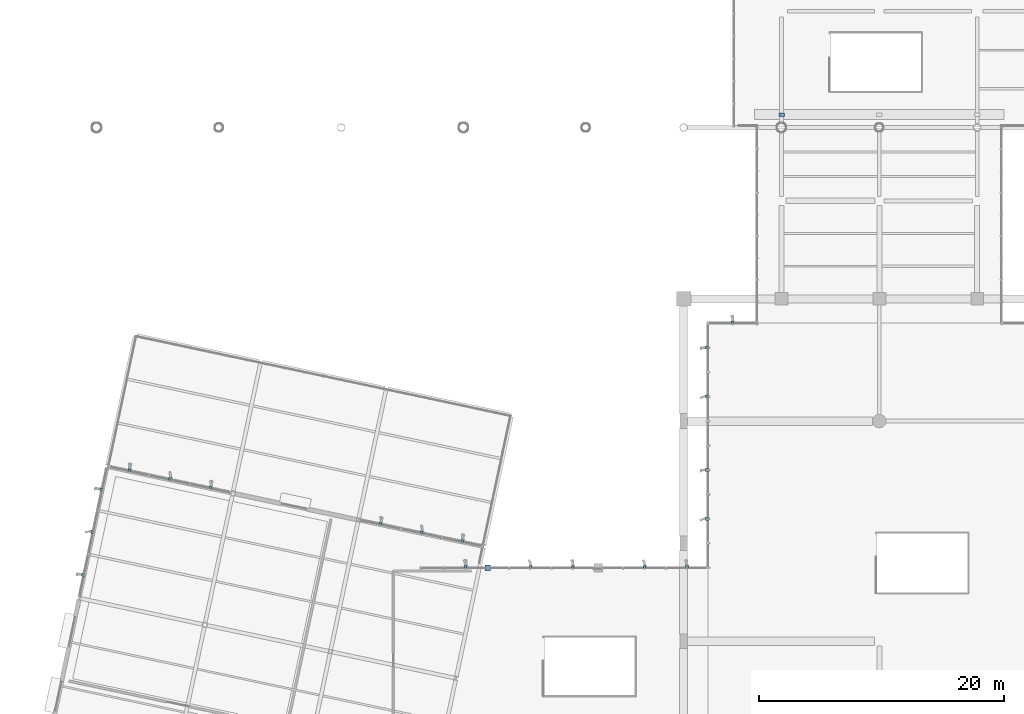
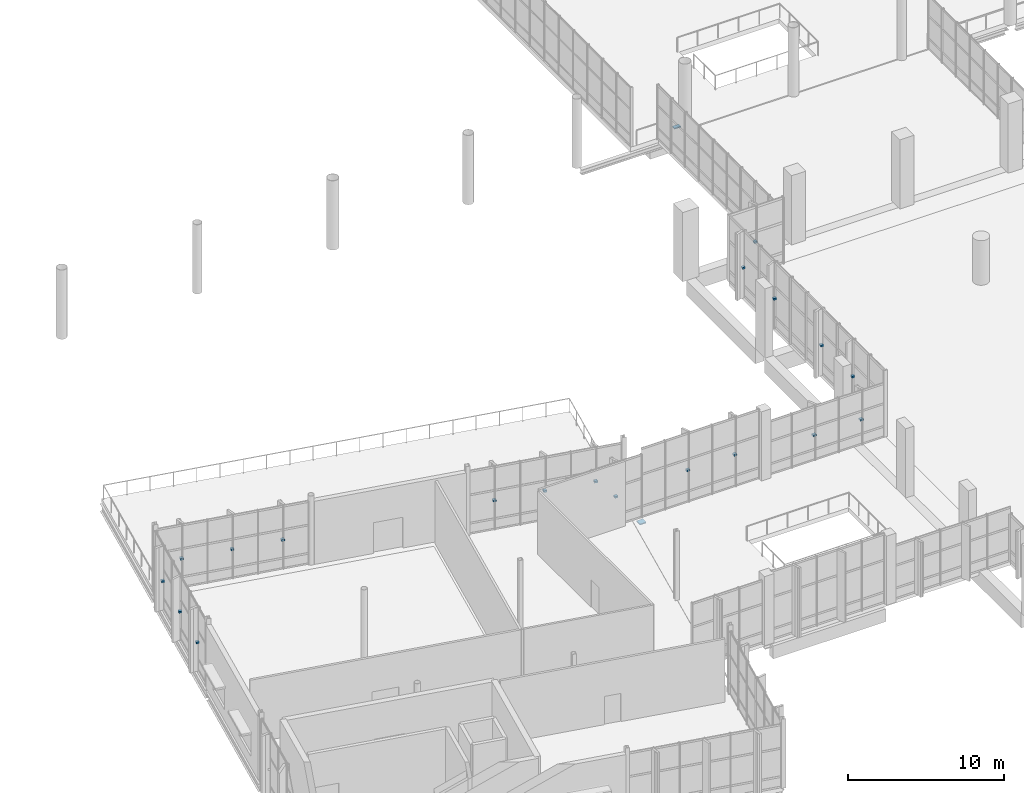
# One storey, part 153 of 176: 21 discrete accessories.
"""IFC4 building model written with IfcOpenShell, lengths in metres."""

from ifc_helpers import new_model, si_unit, direction, frame, origin, origin_2d, place, context, subcontext, project, spatial, rectangle, extrude, material, type_object, element, save


model = new_model("IFC4")

# Units and contexts
model_context = context("Model", 3, precision=1e-05, world=origin(), true_north=direction((0.0, 1.0)))
body_context = subcontext(model_context, "Body", "Model", "MODEL_VIEW")
ifc_project = project(units=[si_unit("LENGTHUNIT", "METRE"), si_unit("AREAUNIT", "SQUARE_METRE"), si_unit("VOLUMEUNIT", "CUBIC_METRE"), si_unit("PLANEANGLEUNIT", "RADIAN"), si_unit("MASSUNIT", "GRAM", prefix="KILO")], contexts=[model_context])

# Site, building, storey
site_placement = place(None, origin())
site = spatial("IfcSite", under=ifc_project, at=site_placement, CompositionType="ELEMENT")
building_placement = place(site_placement, origin())
building = spatial("IfcBuilding", under=site, at=building_placement, Name="Khorjan Park Terminus", CompositionType="ELEMENT")
storey_placement = place(building_placement, frame((0.0, 0.0, 6.0)))
storey = spatial("IfcBuildingStorey", under=building, at=storey_placement, Name="L01", CompositionType="ELEMENT", Elevation=6.0)

# Discrete accessories
ifc_material = material(Name="Steel S355", Category="steel")
discrete_accessory_type_1 = type_object("IfcDiscreteAccessoryType", Name="ACC-BRK-FIN", PredefinedType="BRACKET", material=ifc_material)
for number, where, z_axis, x_axis, name in (
    (1, (52.0, 86.09, 2.2475), (0.0, 0.0, 1.0), (-1.0, 0.0, 0.0), "Solar fin structural bracket BK-01 (CW-V2-N-L01-01-1)"),
    (2, (49.91, 74.0, 2.2475), (0.0, 0.0, 1.0), (0.0, -1.0, 0.0), "Solar fin structural bracket BK-01 (CW-V2-W-L01-04-1)"),
    (3, (49.91, 70.0, 2.2475), (0.0, 0.0, 1.0), (0.0, -1.0, 0.0), "Solar fin structural bracket BK-01 (CW-V2-W-L01-04-3)"),
    (4, (49.91, 84.0, 2.2475), (0.0, 0.0, 1.0), (0.0, -1.0, 0.0), "Solar fin structural bracket BK-01 (CW-V2-W-L01-05-1)"),
    (5, (49.91, 80.0, 2.2475), (0.0, 0.0, 1.0), (0.0, -1.0, 0.0), "Solar fin structural bracket BK-01 (CW-V2-W-L01-05-3)"),
    (6, (30.1667, 66.09, 2.1485), (0.0, 0.0, 1.0), (-1.0, 0.0, 0.0), "Solar fin structural bracket BK-01 (CW-V4L-N-L01-1-1)"),
    (7, (38.936, 66.09, 2.36), (0.0, 0.0, 1.0), (-1.0, 0.0, 0.0), "Solar fin structural bracket BK-01 (CW-V4L-N-L01-2-1)"),
    (8, (35.468, 66.09, 2.36), (0.0, 0.0, 1.0), (-1.0, 0.0, 0.0), "Solar fin structural bracket BK-01 (CW-V4L-N-L01-2-3)"),
    (9, (48.266, 66.09, 1.8313), (0.0, 0.0, 1.0), (-1.0, 0.0, 0.0), "Solar fin structural bracket BK-01 (CW-V4L-N-L01-3-1)"),
    (10, (44.798, 66.09, 1.8313), (0.0, 0.0, 1.0), (-1.0, 0.0, 0.0), "Solar fin structural bracket BK-01 (CW-V4L-N-L01-3-3)"),
    (11, (29.895, 68.1995, 2.1485), (0.0, 0.0, 1.0), (-0.978149890677, 0.207900917192, 0.0), "Solar fin structural bracket BK-01 (CW-V4-N-L01-B01-1)"),
    (12, (26.5561, 68.9092, 2.1485), (0.0, 0.0, 1.0), (-0.978149890677, 0.207900917192, 0.0), "Solar fin structural bracket BK-01 (CW-V4-N-L01-B01-3)"),
    (13, (23.2172, 69.6189, 2.1485), (0.0, 0.0, 1.0), (-0.978149890677, 0.207900917192, 0.0), "Solar fin structural bracket BK-01 (CW-V4-N-L01-B01-5)"),
    (14, (9.3106, 72.5748, 2.1485), (0.0, 0.0, 1.0), (-0.978146425179, 0.207917221289, 0.0), "Solar fin structural bracket BK-01 (CW-V4-N-L01-B03-1)"),
    (15, (5.9891, 73.2808, 2.1485), (0.0, 0.0, 1.0), (-0.978146425179, 0.207917221289, 0.0), "Solar fin structural bracket BK-01 (CW-V4-N-L01-B03-3)"),
    (16, (2.6676, 73.9869, 2.1485), (0.0, 0.0, 1.0), (-0.978146425179, 0.207917221289, 0.0), "Solar fin structural bracket BK-01 (CW-V4-N-L01-B03-5)"),
    (17, (0.3739, 72.4195, 2.1485), (0.0, 0.0, 1.0), (-0.207906749457, -0.978148651039, 0.0), "Solar fin structural bracket BK-01 (CW-V4-W-L01-B01-1)"),
    (18, (-0.3704, 68.9176, 2.1485), (0.0, 0.0, 1.0), (-0.207906749457, -0.978148651039, 0.0), "Solar fin structural bracket BK-01 (CW-V4-W-L01-B01-3)"),
    (19, (-1.1147, 65.4157, 2.1485), (0.0, 0.0, 1.0), (-0.207906749457, -0.978148651039, 0.0), "Solar fin structural bracket BK-01 (CW-V4-W-L01-B01-5)"),
):
    element("IfcDiscreteAccessory", number, at=place(storey_placement, frame(where, z_axis=z_axis, x_axis=x_axis)), inside=storey, type_object=discrete_accessory_type_1, Name=name, PredefinedType="BRACKET", context=body_context, shape_type="SweptSolid", body=[
        extrude(rectangle(XDim=0.22, YDim=0.22, at=origin_2d()), origin(), (0.0, 0.0, 1.0), 0.14),
    ])
discrete_accessory_type_2 = type_object("IfcDiscreteAccessoryType", Name="ACC-SHOE-PTFE", PredefinedType="SHOE", material=ifc_material)
discrete_accessory_1_placement = place(storey_placement, frame((56.0, 103.06, -0.44), z_axis=(0.0, 0.0, 1.0), x_axis=(1.0, 0.0, 0.0)))
element("IfcDiscreteAccessory", 20, at=discrete_accessory_1_placement, inside=storey, type_object=discrete_accessory_type_2, Name="Bridge movement-joint PTFE elastomeric sliding bearing BRG-01 (1)", PredefinedType="SHOE", context=body_context, shape_type="SweptSolid", body=[
    extrude(rectangle(XDim=0.45, YDim=0.3, at=origin_2d()), origin(), (0.0, 0.0, 1.0), 0.08),
])
discrete_accessory_2_placement = place(storey_placement, frame((32.0, 66.0, -0.41), z_axis=(0.0, 0.0, 1.0), x_axis=(1.0, 0.0, 0.0)))
element("IfcDiscreteAccessory", 21, at=discrete_accessory_2_placement, inside=storey, type_object=discrete_accessory_type_2, Name="Unguided PTFE elastomeric movement-joint bearing BRG-01 (8)", PredefinedType="SHOE", context=body_context, shape_type="SweptSolid", body=[
    extrude(rectangle(XDim=0.45, YDim=0.45, at=origin_2d()), origin(), (0.0, 0.0, 1.0), 0.08),
])

save(model, "model.ifc")
